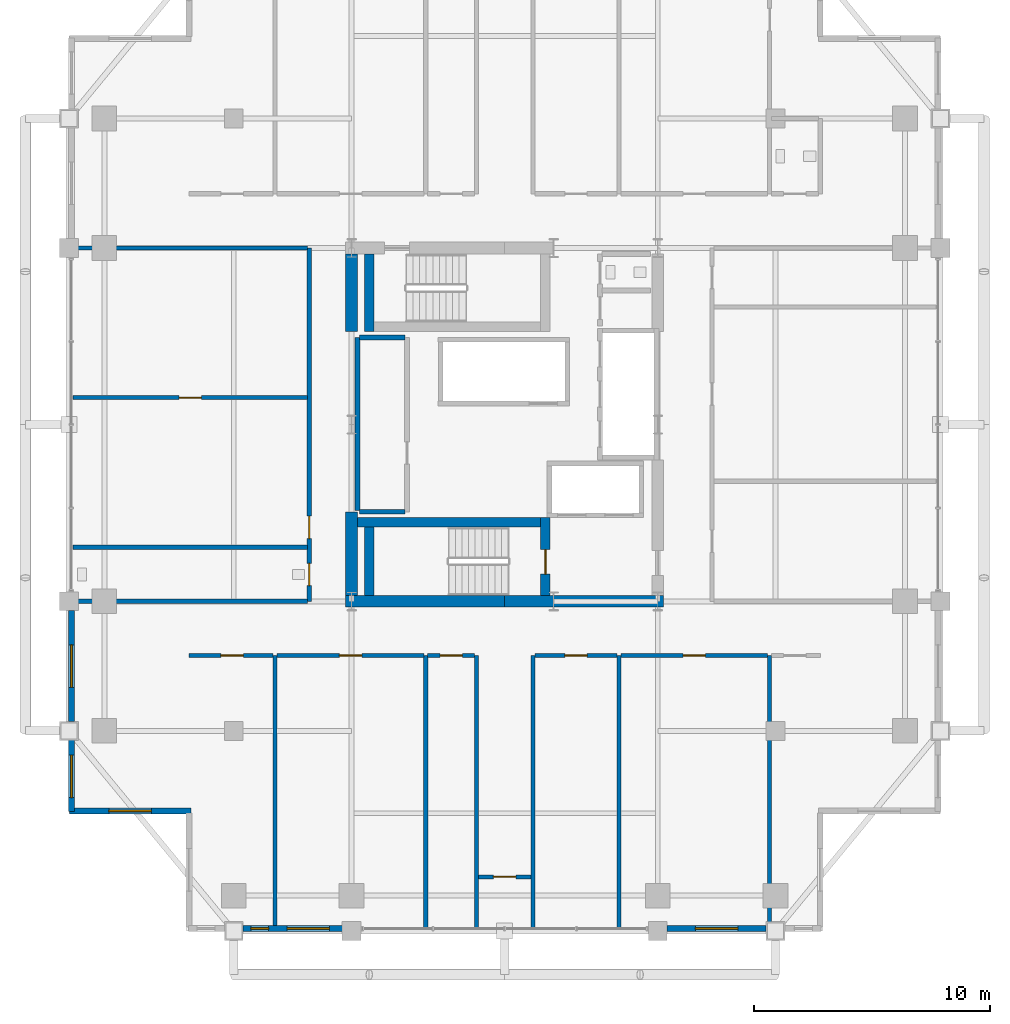
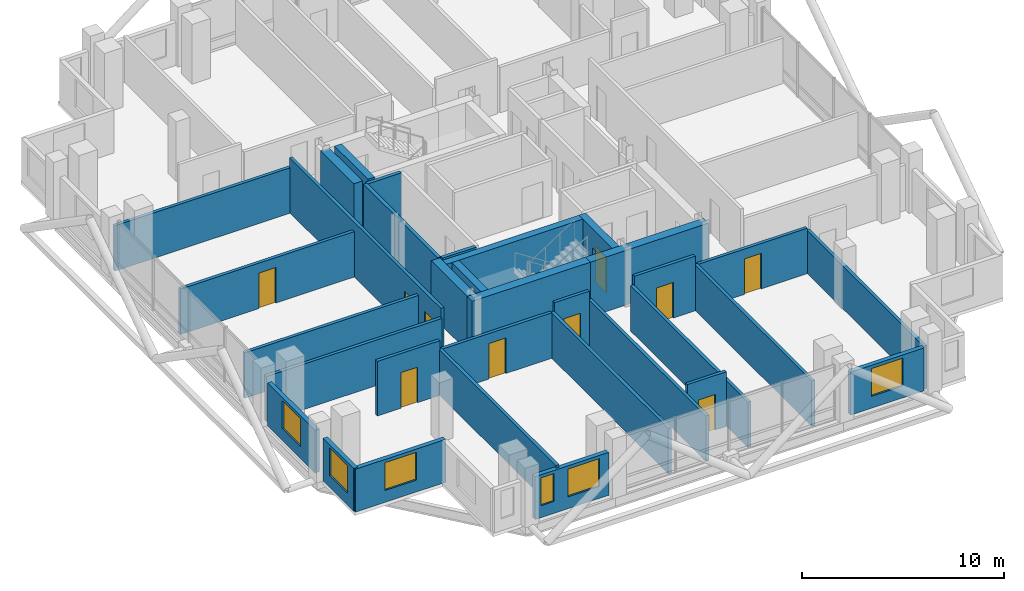
# One storey, part 20 of 25: 33 walls, 10 doors, 6 windows, 16 openings.
"""IFC4 building model written with IfcOpenShell, lengths in metres."""

from ifc_helpers import new_model, si_unit, direction, frame, frame_2d, origin, place, context, subcontext, project, spatial, rectangle, extrude, material, layer, layer_set, type_object, element, fill, save


model = new_model("IFC4")

# Units and contexts
model_context = context("Model", 3, precision=1e-05, world=origin(), true_north=direction((0.0, 1.0)))
body_context = subcontext(model_context, "Body", "Model", "MODEL_VIEW")
ifc_project = project(units=[si_unit("LENGTHUNIT", "METRE"), si_unit("AREAUNIT", "SQUARE_METRE"), si_unit("VOLUMEUNIT", "CUBIC_METRE"), si_unit("PLANEANGLEUNIT", "RADIAN"), si_unit("MASSUNIT", "GRAM", prefix="KILO")], contexts=[model_context])

# Site, building, storey
site_placement = place(None, origin())
site = spatial("IfcSite", under=ifc_project, at=site_placement, CompositionType="ELEMENT")
building_placement = place(site_placement, origin())
building = spatial("IfcBuilding", under=site, at=building_placement, Name="Barlavira Tower and Art Museum", CompositionType="ELEMENT")
storey_placement = place(building_placement, frame((0.0, 0.0, 208.800048828125)))
storey = spatial("IfcBuildingStorey", under=building, at=storey_placement, Name="L54", CompositionType="ELEMENT", Elevation=208.800048828125)

# Walls
ifc_material_1 = material(Name="Concrete C60", Category="concrete")
ifc_layer_1 = layer(ifc_material_1, 0.5, Name="Concrete C60")
ifc_layer_set_1 = layer_set([ifc_layer_1], Name="Concrete C60")
wall_type_1 = type_object("IfcWallType", Name="Core Structural Shear Wall 500 Concrete C60", PredefinedType="SHEAR", material=ifc_layer_set_1)
for number, where, z_axis, x_axis, name in (
    (1, (-6.75, -7.5, 0.0), (0.0, 0.0, 1.0), (1.0, 0.0, 0.0), "L54 Core Shear Wall CS-SW"),
    (2, (0.0, -7.5, 0.0), (0.0, 0.0, 1.0), (1.0, 0.0, 0.0), "L54 Core Shear Wall CS-SE"),
):
    element("IfcWall", number, at=place(storey_placement, frame(where, z_axis=z_axis, x_axis=x_axis)), inside=storey, type_object=wall_type_1, Name=name, PredefinedType="SHEAR", context=body_context, shape_type="SweptSolid", body=[
        extrude(rectangle(XDim=6.75, YDim=0.5, at=frame_2d((3.375, 0.0))), origin(), (0.0, 0.0, 1.0), 3.300048828125),
    ])
wall_1_placement = place(storey_placement, frame((-6.5, -7.25, 0.0), z_axis=(0.0, 0.0, 1.0), x_axis=(0.0, 1.0, 0.0)))
element("IfcWall", 3, at=wall_1_placement, inside=storey, type_object=wall_type_1, Name="L54 Core Shear Wall CS-W1", PredefinedType="SHEAR", context=body_context, shape_type="SweptSolid", body=[
    extrude(rectangle(XDim=3.550048828125, YDim=0.5, at=frame_2d((1.77490234375, 0.0))), origin(), (0.0, 0.0, 1.0), 3.300048828125),
])
wall_2_placement = place(storey_placement, frame((-6.5, 3.949951171875, 0.0), z_axis=(0.0, 0.0, 1.0), x_axis=(0.0, 1.0, 0.0)))
element("IfcWall", 4, at=wall_2_placement, inside=storey, type_object=wall_type_1, Name="L54 Core Shear Wall CS-W2", PredefinedType="SHEAR", context=body_context, shape_type="SweptSolid", body=[
    extrude(rectangle(XDim=3.300048828125, YDim=0.5, at=frame_2d((1.64990234375, 0.0))), origin(), (0.0, 0.0, 1.0), 3.300048828125),
])
ifc_material_2 = material(Name="Autoclaved aerated concrete masonry", Category="masonry")
ifc_layer_2 = layer(ifc_material_2, 0.199951171875, Name="Autoclaved aerated concrete masonry")
ifc_layer_set_2 = layer_set([ifc_layer_2], Name="Autoclaved aerated concrete masonry")
wall_type_2 = type_object("IfcWallType", Name="Fire Compartment and Shaft Wall 200", PredefinedType="SOLIDWALL", material=ifc_layer_set_2)
wall_3_placement = place(storey_placement, frame((-6.25, -3.639892578125, 0.0), z_axis=(0.0, 0.0, 1.0), x_axis=(0.0, 1.0, 0.0)))
element("IfcWall", 5, at=wall_3_placement, inside=storey, type_object=wall_type_2, Name="L54 Partition Wall 4", PredefinedType="SOLIDWALL", context=body_context, shape_type="SweptSolid", body=[
    extrude(rectangle(XDim=7.33984375, YDim=0.199951171875, at=frame_2d((3.669921875, 0.0))), origin(), (0.0, 0.0, 1.0), 3.300048828125),
])
for number, where, z_axis, x_axis, name in (
    (6, (-6.169921875, -3.699951171875, 0.0), (0.0, 0.0, 1.0), (1.0, 0.0, 0.0), "L54 Partition Wall 29"),
    (7, (-6.169921875, 3.699951171875, 0.0), (0.0, 0.0, 1.0), (1.0, 0.0, 0.0), "L54 Partition Wall 32"),
):
    element("IfcWall", number, at=place(storey_placement, frame(where, z_axis=z_axis, x_axis=x_axis)), inside=storey, type_object=wall_type_2, Name=name, PredefinedType="SOLIDWALL", context=body_context, shape_type="SweptSolid", body=[
        extrude(rectangle(XDim=1.93994140625, YDim=0.199951171875, at=frame_2d((0.969970703125, 0.0))), origin(), (0.0, 0.0, 1.0), 3.300048828125),
    ])
ifc_material_3 = material(Name="Gypsum acoustic stud partition", Category="gypsum")
ifc_layer_3 = layer(ifc_material_3, 0.179931640625, Name="Gypsum acoustic stud partition")
ifc_layer_set_3 = layer_set([ifc_layer_3], Name="Gypsum acoustic stud partition")
wall_type_3 = type_object("IfcWallType", Name="Inter-Tenancy Party Partition Wall 180", PredefinedType="PARTITIONING", material=ifc_layer_set_3)
wall_4_placement = place(storey_placement, frame((-9.75, -21.39990234375, 0.0), z_axis=(0.0, 0.0, 1.0), x_axis=(0.0, 1.0, 0.0)))
element("IfcWall", 8, at=wall_4_placement, inside=storey, type_object=wall_type_3, Name="L54 Partition Wall 1", PredefinedType="PARTITIONING", context=body_context, shape_type="SweptSolid", body=[
    extrude(rectangle(XDim=11.599853515625, YDim=0.179931640625, at=frame_2d((5.7998046875, 0.0))), origin(), (0.0, 0.0, 1.0), 2.745849609375),
])

# Wall, openings, doors
wall_5_placement = place(storey_placement, frame((-8.300048828125, -7.5, 0.0), z_axis=(0.0, 0.0, 1.0), x_axis=(0.0, 1.0, 0.0)))
wall_5 = element("IfcWall", 9, at=wall_5_placement, inside=storey, type_object=wall_type_3, Name="L54 Partition Wall 3", PredefinedType="PARTITIONING", context=body_context, shape_type="SweptSolid", body=[
    extrude(rectangle(XDim=15.0, YDim=0.179931640625, at=frame_2d((7.5, 0.0))), origin(), (0.0, 0.0, 1.0), 3.300048828125),
])
opening_1_placement = place(wall_5_placement, frame((0.6650390625, 0.0, 0.0)))
opening_1 = element("IfcOpeningElement", 10, at=opening_1_placement, cuts=wall_5, Name="Opening FD-60", PredefinedType="OPENING", context=body_context, shape_type="SweptSolid", body=[
    extrude(rectangle(XDim=0.949951171875, YDim=2.14990234375, at=frame_2d((0.47509765625, 1.074951171875))), frame((0.0, 0.10009765625, 0.0), z_axis=(0.0, -1.0, 0.0), x_axis=(1.0, 0.0, 0.0)), (0.0, 0.0, 1.0), 0.199951171875),
])
opening_2_placement = place(wall_5_placement, frame((2.6650390625, 0.0, 0.0)))
opening_2 = element("IfcOpeningElement", 11, at=opening_2_placement, cuts=wall_5, Name="Opening FD-60", PredefinedType="OPENING", context=body_context, shape_type="SweptSolid", body=[
    extrude(rectangle(XDim=0.949951171875, YDim=2.14990234375, at=frame_2d((0.47509765625, 1.074951171875))), frame((0.0, 0.10009765625, 0.0), z_axis=(0.0, -1.0, 0.0), x_axis=(1.0, 0.0, 0.0)), (0.0, 0.0, 1.0), 0.199951171875),
])
ifc_material_4 = material(Name="Brushed stainless steel", Category="steel")
door_type_1 = type_object("IfcDoorType", Name="Apartment Entrance and Riser Fire Door 950x2150 FD60S", OperationType="NOTDEFINED", PredefinedType="DOOR", material=ifc_material_4)
door_1_placement = place(opening_1_placement, origin())
door_1 = element("IfcDoor", 12, at=door_1_placement, inside=storey, type_object=door_type_1, Name="Wellness Changing and Accessible Shower WC Door", OperationType="SINGLE_SWING_LEFT", OverallHeight=2.14990234375, OverallWidth=0.949951171875, PredefinedType="DOOR", context=body_context, shape_type="SweptSolid", body=[
    extrude(rectangle(XDim=0.949951171875, YDim=2.14990234375, at=frame_2d((0.47509765625, 1.074951171875))), frame((0.0, 0.02490234375, 0.0), z_axis=(0.0, -1.0, 0.0), x_axis=(1.0, 0.0, 0.0)), (0.0, 0.0, 1.0), 0.050048828125),
])
fill(opening_1, door_1)
door_2_placement = place(opening_2_placement, origin())
door_2 = element("IfcDoor", 13, at=door_2_placement, inside=storey, type_object=door_type_1, Name="Resident Ocean-View Fitness Studio Door", OperationType="SINGLE_SWING_RIGHT", OverallHeight=2.14990234375, OverallWidth=0.949951171875, PredefinedType="DOOR", context=body_context, shape_type="SweptSolid", body=[
    extrude(rectangle(XDim=0.949951171875, YDim=2.14990234375, at=frame_2d((0.47509765625, 1.074951171875))), frame((0.0, 0.02490234375, 0.0), z_axis=(0.0, -1.0, 0.0), x_axis=(1.0, 0.0, 0.0)), (0.0, 0.0, 1.0), 0.050048828125),
])
fill(opening_2, door_2)

# Walls
for number, where, z_axis, x_axis, name in (
    (14, (-3.35009765625, -21.39990234375, 0.0), (0.0, 0.0, 1.0), (0.0, 1.0, 0.0), "L54 Partition Wall 6"),
    (15, (-1.199951171875, -21.39990234375, 0.0), (0.0, 0.0, 1.0), (0.0, 1.0, 0.0), "L54 Partition Wall 8"),
    (16, (1.199951171875, -21.39990234375, 0.0), (0.0, 0.0, 1.0), (0.0, 1.0, 0.0), "L54 Partition Wall 10"),
    (17, (4.85009765625, -21.39990234375, 0.0), (0.0, 0.0, 1.0), (0.0, 1.0, 0.0), "L54 Partition Wall 13"),
):
    element("IfcWall", number, at=place(storey_placement, frame(where, z_axis=z_axis, x_axis=x_axis)), inside=storey, type_object=wall_type_3, Name=name, PredefinedType="PARTITIONING", context=body_context, shape_type="SweptSolid", body=[
        extrude(rectangle(XDim=11.599853515625, YDim=0.179931640625, at=frame_2d((5.7998046875, 0.0))), origin(), (0.0, 0.0, 1.0), 2.745849609375),
    ])
wall_6_placement = place(storey_placement, frame((11.25, -21.39990234375, 0.0), z_axis=(0.0, 0.0, 1.0), x_axis=(0.0, 1.0, 0.0)))
element("IfcWall", 18, at=wall_6_placement, inside=storey, type_object=wall_type_3, Name="L54 Partition Wall 16", PredefinedType="PARTITIONING", context=body_context, shape_type="SweptSolid", body=[
    extrude(rectangle(XDim=11.599853515625, YDim=0.179931640625, at=frame_2d((5.7998046875, 0.0))), origin(), (0.0, 0.0, 1.0), 2.58984375),
])

# Wall, opening, door
wall_7_placement = place(storey_placement, frame((-1.1201171875, -19.199951171875, 0.0), z_axis=(0.0, 0.0, 1.0), x_axis=(1.0, 0.0, 0.0)))
wall_7 = element("IfcWall", 19, at=wall_7_placement, inside=storey, type_object=wall_type_3, Name="L54 Partition Wall 19", PredefinedType="PARTITIONING", context=body_context, shape_type="SweptSolid", body=[
    extrude(rectangle(XDim=2.240234375, YDim=0.179931640625, at=frame_2d((1.1201171875, 0.0))), origin(), (0.0, 0.0, 1.0), 3.300048828125),
])
opening_3_placement = place(wall_7_placement, frame((0.64501953125, 0.0, 0.0)))
opening_3 = element("IfcOpeningElement", 20, at=opening_3_placement, cuts=wall_7, Name="Opening FD-60", PredefinedType="OPENING", context=body_context, shape_type="SweptSolid", body=[
    extrude(rectangle(XDim=0.949951171875, YDim=2.14990234375, at=frame_2d((0.47509765625, 1.074951171875))), frame((0.0, 0.10009765625, 0.0), z_axis=(0.0, -1.0, 0.0), x_axis=(1.0, 0.0, 0.0)), (0.0, 0.0, 1.0), 0.199951171875),
])
door_3_placement = place(opening_3_placement, origin())
door_3 = element("IfcDoor", 21, at=door_3_placement, inside=storey, type_object=door_type_1, Name="L54 South Horizon Reading Alcove Door", OperationType="SINGLE_SWING_RIGHT", OverallHeight=2.14990234375, OverallWidth=0.949951171875, PredefinedType="DOOR", context=body_context, shape_type="SweptSolid", body=[
    extrude(rectangle(XDim=0.949951171875, YDim=2.14990234375, at=frame_2d((0.47509765625, 1.074951171875))), frame((0.0, 0.02490234375, 0.0), z_axis=(0.0, -1.0, 0.0), x_axis=(1.0, 0.0, 0.0)), (0.0, 0.0, 1.0), 0.050048828125),
])
fill(opening_3, door_3)

wall_8_placement = place(storey_placement, frame((-13.39990234375, -9.800048828125, 0.0), z_axis=(0.0, 0.0, 1.0), x_axis=(1.0, 0.0, 0.0)))
wall_8 = element("IfcWall", 22, at=wall_8_placement, inside=storey, type_object=wall_type_3, Name="L54 Partition Wall 20", PredefinedType="PARTITIONING", context=body_context, shape_type="SweptSolid", body=[
    extrude(rectangle(XDim=3.56982421875, YDim=0.179931640625, at=frame_2d((1.784912109375, 0.0))), origin(), (0.0, 0.0, 1.0), 3.300048828125),
])
opening_4_placement = place(wall_8_placement, frame((1.35498046875, 0.0, 0.0)))
opening_4 = element("IfcOpeningElement", 23, at=opening_4_placement, cuts=wall_8, Name="Opening FD-60", PredefinedType="OPENING", context=body_context, shape_type="SweptSolid", body=[
    extrude(rectangle(XDim=0.949951171875, YDim=2.14990234375, at=frame_2d((0.47509765625, 1.074951171875))), frame((0.0, 0.10009765625, 0.0), z_axis=(0.0, -1.0, 0.0), x_axis=(1.0, 0.0, 0.0)), (0.0, 0.0, 1.0), 0.199951171875),
])
door_4_placement = place(opening_4_placement, origin())
door_4 = element("IfcDoor", 24, at=door_4_placement, inside=storey, type_object=door_type_1, Name="Resident Art Collectors Salon Door", OperationType="SINGLE_SWING_LEFT", OverallHeight=2.14990234375, OverallWidth=0.949951171875, PredefinedType="DOOR", context=body_context, shape_type="SweptSolid", body=[
    extrude(rectangle(XDim=0.949951171875, YDim=2.14990234375, at=frame_2d((0.47509765625, 1.074951171875))), frame((0.0, 0.02490234375, 0.0), z_axis=(0.0, -1.0, 0.0), x_axis=(1.0, 0.0, 0.0)), (0.0, 0.0, 1.0), 0.050048828125),
])
fill(opening_4, door_4)

wall_9_placement = place(storey_placement, frame((-9.669921875, -9.800048828125, 0.0), z_axis=(0.0, 0.0, 1.0), x_axis=(1.0, 0.0, 0.0)))
wall_9 = element("IfcWall", 25, at=wall_9_placement, inside=storey, type_object=wall_type_3, Name="L54 Partition Wall 21", PredefinedType="PARTITIONING", context=body_context, shape_type="SweptSolid", body=[
    extrude(rectangle(XDim=6.239990234375, YDim=0.179931640625, at=frame_2d((3.1201171875, 0.0))), origin(), (0.0, 0.0, 1.0), 2.745849609375),
])
opening_5_placement = place(wall_9_placement, frame((2.655029296875, 0.0, 0.0)))
opening_5 = element("IfcOpeningElement", 26, at=opening_5_placement, cuts=wall_9, Name="Opening FD-60", PredefinedType="OPENING", context=body_context, shape_type="SweptSolid", body=[
    extrude(rectangle(XDim=0.949951171875, YDim=2.14990234375, at=frame_2d((0.47509765625, 1.074951171875))), frame((0.0, 0.10009765625, 0.0), z_axis=(0.0, -1.0, 0.0), x_axis=(1.0, 0.0, 0.0)), (0.0, 0.0, 1.0), 0.199951171875),
])
door_5_placement = place(opening_5_placement, origin())
door_5 = element("IfcDoor", 27, at=door_5_placement, inside=storey, type_object=door_type_1, Name="Sculpture and Painting Workshop Door", OperationType="SINGLE_SWING_RIGHT", OverallHeight=2.14990234375, OverallWidth=0.949951171875, PredefinedType="DOOR", context=body_context, shape_type="SweptSolid", body=[
    extrude(rectangle(XDim=0.949951171875, YDim=2.14990234375, at=frame_2d((0.47509765625, 1.074951171875))), frame((0.0, 0.02490234375, 0.0), z_axis=(0.0, -1.0, 0.0), x_axis=(1.0, 0.0, 0.0)), (0.0, 0.0, 1.0), 0.050048828125),
])
fill(opening_5, door_5)

wall_10_placement = place(storey_placement, frame((-3.27001953125, -9.800048828125, 0.0), z_axis=(0.0, 0.0, 1.0), x_axis=(1.0, 0.0, 0.0)))
wall_10 = element("IfcWall", 28, at=wall_10_placement, inside=storey, type_object=wall_type_3, Name="L54 Partition Wall 22", PredefinedType="PARTITIONING", context=body_context, shape_type="SweptSolid", body=[
    extrude(rectangle(XDim=1.989990234375, YDim=0.179931640625, at=frame_2d((0.9951171875, 0.0))), origin(), (0.0, 0.0, 1.0), 3.300048828125),
])
opening_6_placement = place(wall_10_placement, frame((0.52490234375, 0.0, 0.0)))
opening_6 = element("IfcOpeningElement", 29, at=opening_6_placement, cuts=wall_10, Name="Opening FD-60", PredefinedType="OPENING", context=body_context, shape_type="SweptSolid", body=[
    extrude(rectangle(XDim=0.949951171875, YDim=2.14990234375, at=frame_2d((0.47509765625, 1.074951171875))), frame((0.0, 0.10009765625, 0.0), z_axis=(0.0, -1.0, 0.0), x_axis=(1.0, 0.0, 0.0)), (0.0, 0.0, 1.0), 0.199951171875),
])
door_6_placement = place(opening_6_placement, origin())
door_6 = element("IfcDoor", 30, at=door_6_placement, inside=storey, type_object=door_type_1, Name="Climate-Controlled Wine Tasting Room Door", OperationType="SINGLE_SWING_LEFT", OverallHeight=2.14990234375, OverallWidth=0.949951171875, PredefinedType="DOOR", context=body_context, shape_type="SweptSolid", body=[
    extrude(rectangle(XDim=0.949951171875, YDim=2.14990234375, at=frame_2d((0.47509765625, 1.074951171875))), frame((0.0, 0.02490234375, 0.0), z_axis=(0.0, -1.0, 0.0), x_axis=(1.0, 0.0, 0.0)), (0.0, 0.0, 1.0), 0.050048828125),
])
fill(opening_6, door_6)

wall_11_placement = place(storey_placement, frame((1.280029296875, -9.800048828125, 0.0), z_axis=(0.0, 0.0, 1.0), x_axis=(1.0, 0.0, 0.0)))
wall_11 = element("IfcWall", 31, at=wall_11_placement, inside=storey, type_object=wall_type_3, Name="L54 Partition Wall 23", PredefinedType="PARTITIONING", context=body_context, shape_type="SweptSolid", body=[
    extrude(rectangle(XDim=3.489990234375, YDim=0.179931640625, at=frame_2d((1.7451171875, 0.0))), origin(), (0.0, 0.0, 1.0), 3.300048828125),
])
opening_7_placement = place(wall_11_placement, frame((1.27490234375, 0.0, 0.0)))
opening_7 = element("IfcOpeningElement", 32, at=opening_7_placement, cuts=wall_11, Name="Opening FD-60", PredefinedType="OPENING", context=body_context, shape_type="SweptSolid", body=[
    extrude(rectangle(XDim=0.949951171875, YDim=2.14990234375, at=frame_2d((0.47509765625, 1.074951171875))), frame((0.0, 0.10009765625, 0.0), z_axis=(0.0, -1.0, 0.0), x_axis=(1.0, 0.0, 0.0)), (0.0, 0.0, 1.0), 0.199951171875),
])
door_7_placement = place(opening_7_placement, origin())
door_7 = element("IfcDoor", 33, at=door_7_placement, inside=storey, type_object=door_type_1, Name="Resident Rare-Book Reading Room Door", OperationType="SINGLE_SWING_RIGHT", OverallHeight=2.14990234375, OverallWidth=0.949951171875, PredefinedType="DOOR", context=body_context, shape_type="SweptSolid", body=[
    extrude(rectangle(XDim=0.949951171875, YDim=2.14990234375, at=frame_2d((0.47509765625, 1.074951171875))), frame((0.0, 0.02490234375, 0.0), z_axis=(0.0, -1.0, 0.0), x_axis=(1.0, 0.0, 0.0)), (0.0, 0.0, 1.0), 0.050048828125),
])
fill(opening_7, door_7)

wall_12_placement = place(storey_placement, frame((4.929931640625, -9.800048828125, 0.0), z_axis=(0.0, 0.0, 1.0), x_axis=(1.0, 0.0, 0.0)))
wall_12 = element("IfcWall", 34, at=wall_12_placement, inside=storey, type_object=wall_type_3, Name="L54 Partition Wall 24", PredefinedType="PARTITIONING", context=body_context, shape_type="SweptSolid", body=[
    extrude(rectangle(XDim=6.239990234375, YDim=0.179931640625, at=frame_2d((3.1201171875, 0.0))), origin(), (0.0, 0.0, 1.0), 2.745849609375),
])
opening_8_placement = place(wall_12_placement, frame((2.64501953125, 0.0, 0.0)))
opening_8 = element("IfcOpeningElement", 35, at=opening_8_placement, cuts=wall_12, Name="Opening FD-60", PredefinedType="OPENING", context=body_context, shape_type="SweptSolid", body=[
    extrude(rectangle(XDim=0.949951171875, YDim=2.14990234375, at=frame_2d((0.47509765625, 1.074951171875))), frame((0.0, 0.10009765625, 0.0), z_axis=(0.0, -1.0, 0.0), x_axis=(1.0, 0.0, 0.0)), (0.0, 0.0, 1.0), 0.199951171875),
])
door_8_placement = place(opening_8_placement, origin())
door_8 = element("IfcDoor", 36, at=door_8_placement, inside=storey, type_object=door_type_1, Name="Private Coastal Dining Salon Door", OperationType="SINGLE_SWING_LEFT", OverallHeight=2.14990234375, OverallWidth=0.949951171875, PredefinedType="DOOR", context=body_context, shape_type="SweptSolid", body=[
    extrude(rectangle(XDim=0.949951171875, YDim=2.14990234375, at=frame_2d((0.47509765625, 1.074951171875))), frame((0.0, 0.02490234375, 0.0), z_axis=(0.0, -1.0, 0.0), x_axis=(1.0, 0.0, 0.0)), (0.0, 0.0, 1.0), 0.050048828125),
])
fill(opening_8, door_8)

# Walls
wall_13_placement = place(storey_placement, frame((-18.39990234375, -7.5, 0.0), z_axis=(0.0, 0.0, 1.0), x_axis=(1.0, 0.0, 0.0)))
element("IfcWall", 37, at=wall_13_placement, inside=storey, type_object=wall_type_3, Name="L54 Partition Wall 26", PredefinedType="PARTITIONING", context=body_context, shape_type="SweptSolid", body=[
    extrude(rectangle(XDim=10.02001953125, YDim=0.179931640625, at=frame_2d((5.010009765625, 0.0))), origin(), (0.0, 0.0, 1.0), 2.745849609375),
])
wall_14_placement = place(storey_placement, frame((-18.320068359375, -5.199951171875, 0.0), z_axis=(0.0, 0.0, 1.0), x_axis=(1.0, 0.0, 0.0)))
element("IfcWall", 38, at=wall_14_placement, inside=storey, type_object=wall_type_3, Name="L54 Partition Wall 28", PredefinedType="PARTITIONING", context=body_context, shape_type="SweptSolid", body=[
    extrude(rectangle(XDim=9.940185546875, YDim=0.179931640625, at=frame_2d((4.97021484375, 0.0))), origin(), (0.0, 0.0, 1.0), 2.745849609375),
])

# Wall, opening, door
wall_15_placement = place(storey_placement, frame((-18.320068359375, 1.14990234375, 0.0), z_axis=(0.0, 0.0, 1.0), x_axis=(1.0, 0.0, 0.0)))
wall_15 = element("IfcWall", 39, at=wall_15_placement, inside=storey, type_object=wall_type_3, Name="L54 Partition Wall 31", PredefinedType="PARTITIONING", context=body_context, shape_type="SweptSolid", body=[
    extrude(rectangle(XDim=9.940185546875, YDim=0.179931640625, at=frame_2d((4.97021484375, 0.0))), origin(), (0.0, 0.0, 1.0), 2.745849609375),
])
opening_9_placement = place(wall_15_placement, frame((4.4951171875, 0.0, 0.0)))
opening_9 = element("IfcOpeningElement", 40, at=opening_9_placement, cuts=wall_15, Name="Opening FD-60", PredefinedType="OPENING", context=body_context, shape_type="SweptSolid", body=[
    extrude(rectangle(XDim=0.949951171875, YDim=2.14990234375, at=frame_2d((0.47509765625, 1.074951171875))), frame((0.0, 0.10009765625, 0.0), z_axis=(0.0, -1.0, 0.0), x_axis=(1.0, 0.0, 0.0)), (0.0, 0.0, 1.0), 0.199951171875),
])
door_9_placement = place(opening_9_placement, origin())
door_9 = element("IfcDoor", 41, at=door_9_placement, inside=storey, type_object=door_type_1, Name="Coastal Hydrotherapy and Yoga Lounge Door", OperationType="SINGLE_SWING_LEFT", OverallHeight=2.14990234375, OverallWidth=0.949951171875, PredefinedType="DOOR", context=body_context, shape_type="SweptSolid", body=[
    extrude(rectangle(XDim=0.949951171875, YDim=2.14990234375, at=frame_2d((0.47509765625, 1.074951171875))), frame((0.0, 0.02490234375, 0.0), z_axis=(0.0, -1.0, 0.0), x_axis=(1.0, 0.0, 0.0)), (0.0, 0.0, 1.0), 0.050048828125),
])
fill(opening_9, door_9)

# Wall
wall_16_placement = place(storey_placement, frame((-18.39990234375, 7.5, 0.0), z_axis=(0.0, 0.0, 1.0), x_axis=(1.0, 0.0, 0.0)))
element("IfcWall", 42, at=wall_16_placement, inside=storey, type_object=wall_type_3, Name="L54 Partition Wall 36", PredefinedType="PARTITIONING", context=body_context, shape_type="SweptSolid", body=[
    extrude(rectangle(XDim=10.02001953125, YDim=0.179931640625, at=frame_2d((5.010009765625, 0.0))), origin(), (0.0, 0.0, 1.0), 2.745849609375),
])

# Wall, openings, windows
ifc_material_5 = material(Name="Precast concrete C40", Category="concrete")
ifc_layer_4 = layer(ifc_material_5, 0.25, Name="Precast concrete C40")
ifc_layer_set_4 = layer_set([ifc_layer_4], Name="Precast concrete C40")
wall_type_4 = type_object("IfcWallType", Name="Notched Corner Spandrel Wall 250 Precast Concrete C40", PredefinedType="SOLIDWALL", material=ifc_layer_set_4)
wall_17_placement = place(storey_placement, frame((-11.10498046875, -21.39990234375, 0.0), z_axis=(0.0, 0.0, 1.0), x_axis=(1.0, 0.0, 0.0)))
wall_17 = element("IfcWall", 43, at=wall_17_placement, inside=storey, type_object=wall_type_4, Name="L54 Coastal Facade Pier Wall CW3-L54-S-2", PredefinedType="SOLIDWALL", context=body_context, shape_type="SweptSolid", body=[
    extrude(rectangle(XDim=4.2099609375, YDim=0.25, at=frame_2d((2.10498046875, 0.0))), origin(), (0.0, 0.0, 1.0), 2.58984375),
])
opening_10_placement = place(wall_17_placement, frame((0.324951171875, 0.0, 0.719970703125)))
opening_10 = element("IfcOpeningElement", 44, at=opening_10_placement, cuts=wall_17, Name="Opening WN-06", PredefinedType="OPENING", context=body_context, shape_type="SweptSolid", body=[
    extrude(rectangle(XDim=0.760009765625, YDim=1.679931640625, at=frame_2d((0.3798828125, 0.83984375))), frame((0.0, 0.135009765625, 0.0), z_axis=(0.0, -1.0, 0.0), x_axis=(1.0, 0.0, 0.0)), (0.0, 0.0, 1.0), 0.27001953125),
])
opening_11_placement = place(wall_17_placement, frame((1.864990234375, 0.0, 0.719970703125)))
opening_11 = element("IfcOpeningElement", 45, at=opening_11_placement, cuts=wall_17, Name="Opening WN-01", PredefinedType="OPENING", context=body_context, shape_type="SweptSolid", body=[
    extrude(rectangle(XDim=1.800048828125, YDim=1.679931640625, at=frame_2d((0.89990234375, 0.83984375))), frame((0.0, 0.135009765625, 0.0), z_axis=(0.0, -1.0, 0.0), x_axis=(1.0, 0.0, 0.0)), (0.0, 0.0, 1.0), 0.27001953125),
])
ifc_material_6 = material(Name="Low-iron coastal laminated glass", Category="glass")
window_type_1 = type_object("IfcWindowType", Name="Recessed Narrow Pier Window 760x1680", PartitioningType="SINGLE_PANEL", PredefinedType="WINDOW", material=ifc_material_6)
window_1_placement = place(opening_10_placement, origin())
window_1 = element("IfcWindow", 46, at=window_1_placement, inside=storey, type_object=window_type_1, Name="L54 Punched Facade Window EWP-CW3-L54-S-2-1", OverallHeight=1.679931640625, OverallWidth=0.760009765625, PartitioningType="SINGLE_PANEL", PredefinedType="WINDOW", context=body_context, shape_type="SweptSolid", body=[
    extrude(rectangle(XDim=0.760009765625, YDim=1.679931640625, at=frame_2d((0.3798828125, 0.83984375))), frame((0.0, 0.030029296875, 0.0), z_axis=(0.0, -1.0, 0.0), x_axis=(1.0, 0.0, 0.0)), (0.0, 0.0, 1.0), 0.06005859375),
])
fill(opening_10, window_1)
window_type_2 = type_object("IfcWindowType", Name="Recessed Notch Corner Punch Window 1800x1680", PartitioningType="SINGLE_PANEL", PredefinedType="WINDOW", material=ifc_material_6)
window_2_placement = place(opening_11_placement, origin())
window_2 = element("IfcWindow", 47, at=window_2_placement, inside=storey, type_object=window_type_2, Name="L54 Punched Facade Window EWP-CW3-L54-S-2-2", OverallHeight=1.679931640625, OverallWidth=1.800048828125, PartitioningType="SINGLE_PANEL", PredefinedType="WINDOW", context=body_context, shape_type="SweptSolid", body=[
    extrude(rectangle(XDim=1.800048828125, YDim=1.679931640625, at=frame_2d((0.89990234375, 0.83984375))), frame((0.0, 0.030029296875, 0.0), z_axis=(0.0, -1.0, 0.0), x_axis=(1.0, 0.0, 0.0)), (0.0, 0.0, 1.0), 0.06005859375),
])
fill(opening_11, window_2)

# Wall, opening, window
wall_18_placement = place(storey_placement, frame((6.89501953125, -21.39990234375, 0.0), z_axis=(0.0, 0.0, 1.0), x_axis=(1.0, 0.0, 0.0)))
wall_18 = element("IfcWall", 48, at=wall_18_placement, inside=storey, type_object=wall_type_4, Name="L54 Coastal Facade Pier Wall CW3-L54-S-4", PredefinedType="SOLIDWALL", context=body_context, shape_type="SweptSolid", body=[
    extrude(rectangle(XDim=4.2099609375, YDim=0.25, at=frame_2d((2.10498046875, 0.0))), origin(), (0.0, 0.0, 1.0), 2.58984375),
])
opening_12_placement = place(wall_18_placement, frame((1.205078125, 0.0, 0.719970703125)))
opening_12 = element("IfcOpeningElement", 49, at=opening_12_placement, cuts=wall_18, Name="Opening WN-01", PredefinedType="OPENING", context=body_context, shape_type="SweptSolid", body=[
    extrude(rectangle(XDim=1.800048828125, YDim=1.679931640625, at=frame_2d((0.89990234375, 0.83984375))), frame((0.0, 0.135009765625, 0.0), z_axis=(0.0, -1.0, 0.0), x_axis=(1.0, 0.0, 0.0)), (0.0, 0.0, 1.0), 0.27001953125),
])
window_3_placement = place(opening_12_placement, origin())
window_3 = element("IfcWindow", 50, at=window_3_placement, inside=storey, type_object=window_type_2, Name="L54 Punched Facade Window EWP-CW3-L54-S-4-1", OverallHeight=1.679931640625, OverallWidth=1.800048828125, PartitioningType="SINGLE_PANEL", PredefinedType="WINDOW", context=body_context, shape_type="SweptSolid", body=[
    extrude(rectangle(XDim=1.800048828125, YDim=1.679931640625, at=frame_2d((0.89990234375, 0.83984375))), frame((0.0, 0.030029296875, 0.0), z_axis=(0.0, -1.0, 0.0), x_axis=(1.0, 0.0, 0.0)), (0.0, 0.0, 1.0), 0.06005859375),
])
fill(opening_12, window_3)

wall_19_placement = place(storey_placement, frame((-18.39990234375, -7.89501953125, 0.0), z_axis=(0.0, 0.0, 1.0), x_axis=(0.0, -1.0, 0.0)))
wall_19 = element("IfcWall", 51, at=wall_19_placement, inside=storey, type_object=wall_type_4, Name="L54 Coastal Facade Pier Wall CW3-L54-W-4", PredefinedType="SOLIDWALL", context=body_context, shape_type="SweptSolid", body=[
    extrude(rectangle(XDim=4.7099609375, YDim=0.25, at=frame_2d((2.35498046875, 0.0))), origin(), (0.0, 0.0, 1.0), 2.58984375),
])
opening_13_placement = place(wall_19_placement, frame((1.455078125, 0.0, 0.719970703125)))
opening_13 = element("IfcOpeningElement", 52, at=opening_13_placement, cuts=wall_19, Name="Opening WN-01", PredefinedType="OPENING", context=body_context, shape_type="SweptSolid", body=[
    extrude(rectangle(XDim=1.800048828125, YDim=1.679931640625, at=frame_2d((0.89990234375, 0.83984375))), frame((0.0, 0.135009765625, 0.0), z_axis=(0.0, -1.0, 0.0), x_axis=(1.0, 0.0, 0.0)), (0.0, 0.0, 1.0), 0.27001953125),
])
window_4_placement = place(opening_13_placement, origin())
window_4 = element("IfcWindow", 53, at=window_4_placement, inside=storey, type_object=window_type_2, Name="L54 Punched Facade Window EWP-CW3-L54-W-4-1", OverallHeight=1.679931640625, OverallWidth=1.800048828125, PartitioningType="SINGLE_PANEL", PredefinedType="WINDOW", context=body_context, shape_type="SweptSolid", body=[
    extrude(rectangle(XDim=1.800048828125, YDim=1.679931640625, at=frame_2d((0.89990234375, 0.83984375))), frame((0.0, 0.030029296875, 0.0), z_axis=(0.0, -1.0, 0.0), x_axis=(1.0, 0.0, 0.0)), (0.0, 0.0, 1.0), 0.06005859375),
])
fill(opening_13, window_4)

wall_20_placement = place(storey_placement, frame((-18.39990234375, -13.39501953125, 0.0), z_axis=(0.0, 0.0, 1.0), x_axis=(0.0, -1.0, 0.0)))
wall_20 = element("IfcWall", 54, at=wall_20_placement, inside=storey, type_object=wall_type_4, Name="L54 Coastal Facade Pier Wall CW3-L54-W-5", PredefinedType="SOLIDWALL", context=body_context, shape_type="SweptSolid", body=[
    extrude(rectangle(XDim=3.030029296875, YDim=0.25, at=frame_2d((1.51513671875, 0.0))), origin(), (0.0, 0.0, 1.0), 2.58984375),
])
opening_14_placement = place(wall_20_placement, frame((0.637939453125, 0.0, 0.719970703125)))
opening_14 = element("IfcOpeningElement", 55, at=opening_14_placement, cuts=wall_20, Name="Opening WN-01", PredefinedType="OPENING", context=body_context, shape_type="SweptSolid", body=[
    extrude(rectangle(XDim=1.800048828125, YDim=1.679931640625, at=frame_2d((0.89990234375, 0.83984375))), frame((0.0, 0.135009765625, 0.0), z_axis=(0.0, -1.0, 0.0), x_axis=(1.0, 0.0, 0.0)), (0.0, 0.0, 1.0), 0.27001953125),
])
window_5_placement = place(opening_14_placement, origin())
window_5 = element("IfcWindow", 56, at=window_5_placement, inside=storey, type_object=window_type_2, Name="L54 Punched Facade Window EWP-CW3-L54-W-5-1", OverallHeight=1.679931640625, OverallWidth=1.800048828125, PartitioningType="SINGLE_PANEL", PredefinedType="WINDOW", context=body_context, shape_type="SweptSolid", body=[
    extrude(rectangle(XDim=1.800048828125, YDim=1.679931640625, at=frame_2d((0.89990234375, 0.83984375))), frame((0.0, 0.030029296875, 0.0), z_axis=(0.0, -1.0, 0.0), x_axis=(1.0, 0.0, 0.0)), (0.0, 0.0, 1.0), 0.06005859375),
])
fill(opening_14, window_5)

wall_21_placement = place(storey_placement, frame((-18.47998046875, -16.39990234375, 0.0), z_axis=(0.0, 0.0, 1.0), x_axis=(1.0, 0.0, 0.0)))
wall_21 = element("IfcWall", 57, at=wall_21_placement, inside=storey, type_object=wall_type_4, Name="L54 Notch Corner Wall SW1", PredefinedType="SOLIDWALL", context=body_context, shape_type="SweptSolid", body=[
    extrude(rectangle(XDim=5.159912109375, YDim=0.25, at=frame_2d((2.580078125, 0.0))), origin(), (0.0, 0.0, 1.0), 2.58984375),
])
opening_15_placement = place(wall_21_placement, frame((1.679931640625, 0.0, 0.719970703125)))
opening_15 = element("IfcOpeningElement", 58, at=opening_15_placement, cuts=wall_21, Name="Opening WN-01", PredefinedType="OPENING", context=body_context, shape_type="SweptSolid", body=[
    extrude(rectangle(XDim=1.800048828125, YDim=1.679931640625, at=frame_2d((0.89990234375, 0.83984375))), frame((0.0, 0.135009765625, 0.0), z_axis=(0.0, -1.0, 0.0), x_axis=(1.0, 0.0, 0.0)), (0.0, 0.0, 1.0), 0.27001953125),
])
window_6_placement = place(opening_15_placement, origin())
window_6 = element("IfcWindow", 59, at=window_6_placement, inside=storey, type_object=window_type_2, Name="L54 Punched Facade Window EW-NTC-L54-SW1-1", OverallHeight=1.679931640625, OverallWidth=1.800048828125, PartitioningType="SINGLE_PANEL", PredefinedType="WINDOW", context=body_context, shape_type="SweptSolid", body=[
    extrude(rectangle(XDim=1.800048828125, YDim=1.679931640625, at=frame_2d((0.89990234375, 0.83984375))), frame((0.0, 0.030029296875, 0.0), z_axis=(0.0, -1.0, 0.0), x_axis=(1.0, 0.0, 0.0)), (0.0, 0.0, 1.0), 0.06005859375),
])
fill(opening_15, window_6)

# Walls
ifc_material_7 = material(Name="Concrete C55", Category="concrete")
ifc_layer_5 = layer(ifc_material_7, 0.39990234375, Name="Concrete C55")
ifc_layer_set_5 = layer_set([ifc_layer_5], Name="Concrete C55")
wall_type_5 = type_object("IfcWallType", Name="Upper Core Shear Wall 400 Concrete C55", PredefinedType="SHEAR", material=ifc_layer_set_5)
wall_22_placement = place(storey_placement, frame((-5.75, -7.25, 0.0), z_axis=(0.0, 0.0, 1.0), x_axis=(0.0, 1.0, 0.0)))
element("IfcWall", 60, at=wall_22_placement, inside=storey, type_object=wall_type_5, Name="L54 ST-T1 West Half-Landing Wall", PredefinedType="SHEAR", context=body_context, shape_type="SweptSolid", body=[
    extrude(rectangle(XDim=2.89990234375, YDim=0.39990234375, at=frame_2d((1.449951171875, 0.0))), origin(), (0.0, 0.0, 1.0), 3.300048828125),
])
wall_23_placement = place(storey_placement, frame((-6.25, -4.14990234375, 0.0), z_axis=(0.0, 0.0, 1.0), x_axis=(1.0, 0.0, 0.0)))
element("IfcWall", 61, at=wall_23_placement, inside=storey, type_object=wall_type_5, Name="L54 ST-T1 North Shaft Wall", PredefinedType="SHEAR", context=body_context, shape_type="SweptSolid", body=[
    extrude(rectangle(XDim=7.780029296875, YDim=0.39990234375, at=frame_2d((3.89013671875, 0.0))), origin(), (0.0, 0.0, 1.0), 3.300048828125),
])

# Wall, opening, door
wall_24_placement = place(storey_placement, frame((1.72998046875, -7.25, 0.0), z_axis=(0.0, 0.0, 1.0), x_axis=(0.0, 1.0, 0.0)))
wall_24 = element("IfcWall", 62, at=wall_24_placement, inside=storey, type_object=wall_type_5, Name="L54 ST-T1 East Landing Wall", PredefinedType="SHEAR", context=body_context, shape_type="SweptSolid", body=[
    extrude(rectangle(XDim=3.300048828125, YDim=0.39990234375, at=frame_2d((1.64990234375, 0.0))), origin(), (0.0, 0.0, 1.0), 3.300048828125),
])
opening_16_placement = place(wall_24_placement, frame((0.89990234375, 0.0, 0.0)))
opening_16 = element("IfcOpeningElement", 63, at=opening_16_placement, cuts=wall_24, Name="Opening FD-90", PredefinedType="OPENING", context=body_context, shape_type="SweptSolid", body=[
    extrude(rectangle(XDim=1.050048828125, YDim=2.14990234375, at=frame_2d((0.52490234375, 1.074951171875))), frame((0.0, 0.2099609375, 0.0), z_axis=(0.0, -1.0, 0.0), x_axis=(1.0, 0.0, 0.0)), (0.0, 0.0, 1.0), 0.419921875),
])
door_type_2 = type_object("IfcDoorType", Name="Stair and Refuge Fire Door 1050x2150 FD90S", OperationType="NOTDEFINED", PredefinedType="DOOR", material=ifc_material_4)
door_10_placement = place(opening_16_placement, origin())
door_10 = element("IfcDoor", 64, at=door_10_placement, inside=storey, type_object=door_type_2, Name="L54 Stair ST-T1 Fire Door", OperationType="SINGLE_SWING_RIGHT", OverallHeight=2.14990234375, OverallWidth=1.050048828125, PredefinedType="DOOR", context=body_context, shape_type="SweptSolid", body=[
    extrude(rectangle(XDim=1.050048828125, YDim=2.14990234375, at=frame_2d((0.52490234375, 1.074951171875))), frame((0.0, 0.02490234375, 0.0), z_axis=(0.0, -1.0, 0.0), x_axis=(1.0, 0.0, 0.0)), (0.0, 0.0, 1.0), 0.050048828125),
])
fill(opening_16, door_10)

# Wall
wall_25_placement = place(storey_placement, frame((-5.75, 3.949951171875, 0.0), z_axis=(0.0, 0.0, 1.0), x_axis=(0.0, 1.0, 0.0)))
element("IfcWall", 65, at=wall_25_placement, inside=storey, type_object=wall_type_5, Name="L54 ST-T2 West Shaft Wall", PredefinedType="SHEAR", context=body_context, shape_type="SweptSolid", body=[
    extrude(rectangle(XDim=3.300048828125, YDim=0.39990234375, at=frame_2d((1.64990234375, 0.0))), origin(), (0.0, 0.0, 1.0), 3.300048828125),
])

save(model, "model.ifc")
